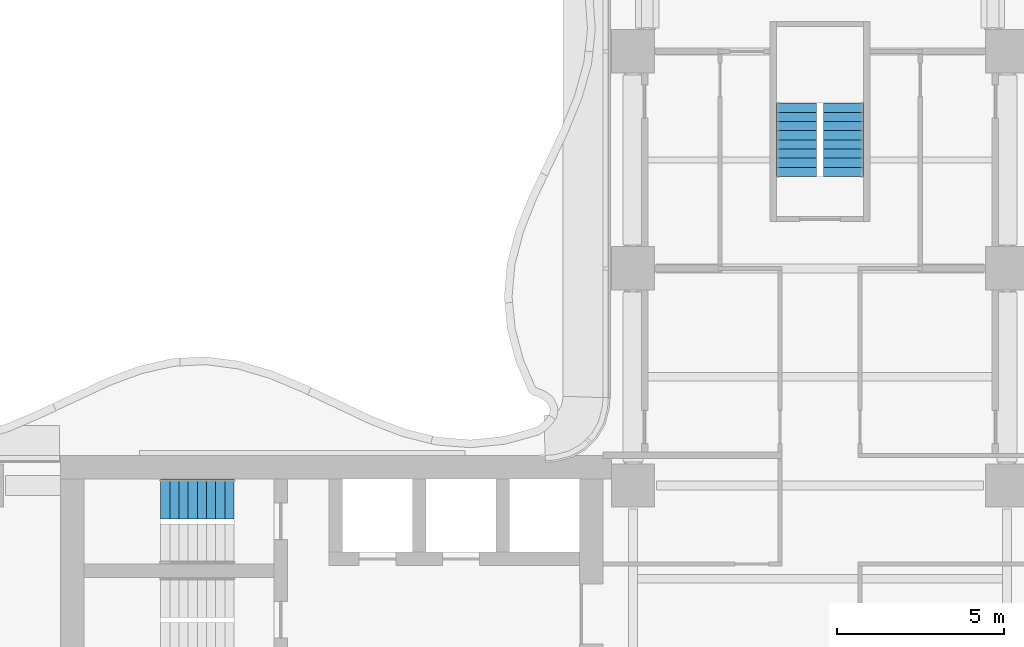
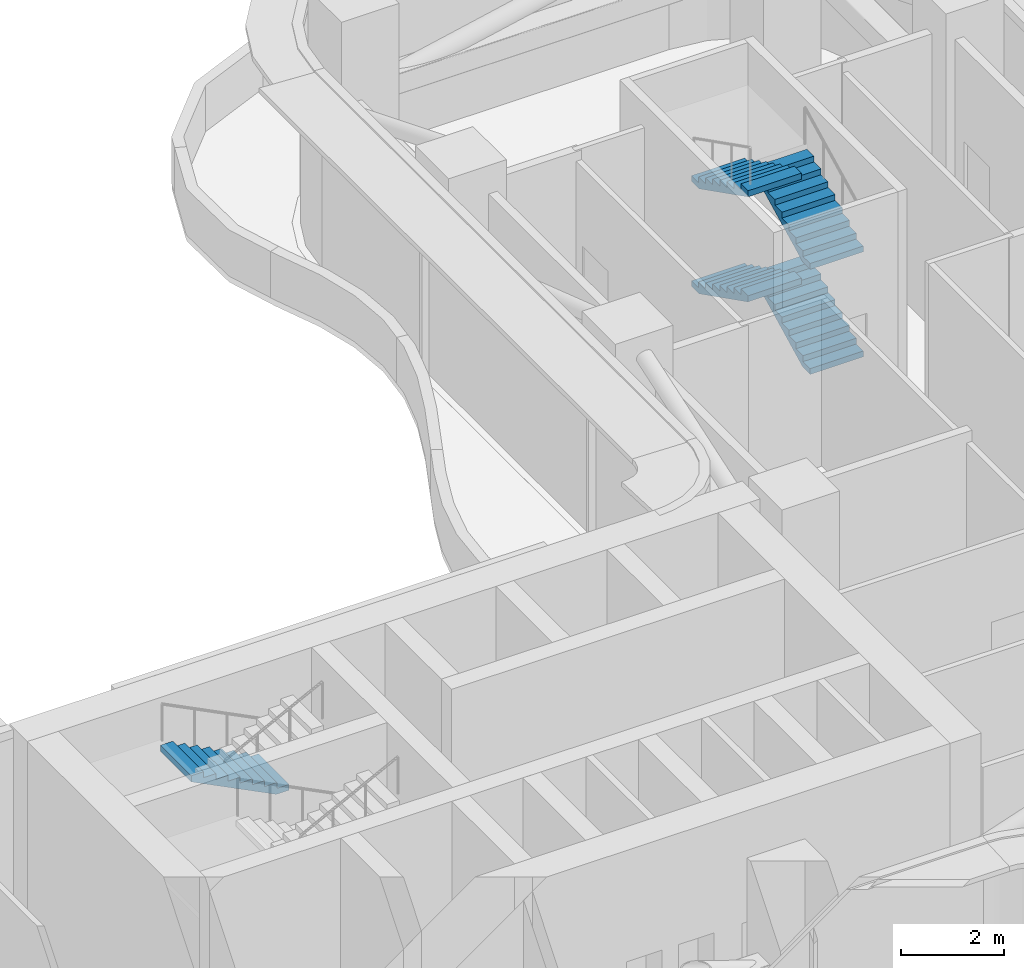
# One storey, part 18 of 20: 5 stair flights, 2 elements without a shape of their own.
"""IFC4 building model written with IfcOpenShell, lengths in metres."""

from ifc_helpers import new_model, si_unit, direction, frame, origin, place, context, subcontext, project, spatial, polyline, outline, extrude, source, transform, mapped, material, type_object, element, aggregate, save


model = new_model("IFC4")

# Units and contexts
model_context = context("Model", 3, precision=1e-05, world=origin(), true_north=direction((0.0, 1.0)))
body_context = subcontext(model_context, "Body", "Model", "MODEL_VIEW")
ifc_project = project(units=[si_unit("LENGTHUNIT", "METRE"), si_unit("AREAUNIT", "SQUARE_METRE"), si_unit("VOLUMEUNIT", "CUBIC_METRE"), si_unit("PLANEANGLEUNIT", "RADIAN"), si_unit("MASSUNIT", "GRAM", prefix="KILO")], contexts=[model_context])

# Site, building, storey
site_placement = place(None, origin())
site = spatial("IfcSite", under=ifc_project, at=site_placement, CompositionType="ELEMENT")
building_placement = place(site_placement, origin())
building = spatial("IfcBuilding", under=site, at=building_placement, Name="Trellis Farm Tower", CompositionType="ELEMENT")
storey_placement = place(building_placement, frame((0.0, 0.0, 92.5)))
storey = spatial("IfcBuildingStorey", under=building, at=storey_placement, Name="L19", CompositionType="ELEMENT", Elevation=92.5)

# Stair, stair flights
ifc_material = material(Name="Concrete C50/60", Category="concrete")
stair_type = type_object("IfcStairType", Name="CORE EXIT STAIR 36 RISERS 139 MM", PredefinedType="HALF_TURN_STAIR", material=ifc_material)
placement = place(storey_placement, origin())
stair_1 = element("IfcStair", 1, at=placement, inside=storey, type_object=stair_type, Name="Exit stair N", PredefinedType="HALF_TURN_STAIR")
stair_flight_type = type_object("IfcStairFlightType", Name="STAIR FLIGHT 9 RISERS 139 MM", PredefinedType="STRAIGHT", material=ifc_material)
shared_shape = source(origin(), body_context, "Body", "SweptSolid", [
    extrude(outline(polyline([(0.0, 0.0), (0.0, 0.138916015625), (0.27490234375, 0.138916015625), (0.27490234375, 0.27783203125), (0.550048828125, 0.27783203125), (0.550048828125, 0.416748046875), (0.824951171875, 0.416748046875), (0.824951171875, 0.5556640625), (1.10009765625, 0.5556640625), (1.10009765625, 0.6943359375), (1.375, 0.6943359375), (1.375, 0.833251953125), (1.64990234375, 0.833251953125), (1.64990234375, 0.97216796875), (1.925048828125, 0.97216796875), (1.925048828125, 1.111083984375), (2.199951171875, 1.111083984375), (2.199951171875, 1.25), (2.199951171875, 0.965576171875), (0.2880859375, 0.0), (0.0, 0.0)])), frame((0.0, 0.60009765625, 0.0), z_axis=(0.0, -1.0, 0.0), x_axis=(1.0, 0.0, 0.0)), (0.0, 0.0, 1.0), 1.199951171875),
])
stair_flight_1_placement = place(storey_placement, frame((0.699951171875, 14.85009765625, 0.0), z_axis=(0.0, 0.0, 1.0), x_axis=(0.0, 1.0, 0.0)))
stair_flight_1 = element("IfcStairFlight", 2, at=stair_flight_1_placement, type_object=stair_flight_type, Name="STN flight 1", NumberOfRisers=9, NumberOfTreads=8, PredefinedType="STRAIGHT", RiserHeight=0.138888889, TreadLength=0.275, context=body_context, shape_type="MappedRepresentation", body=[
    mapped(shared_shape, transform((0.0, 0.0, 0.0))),
])
stair_flight_2_placement = place(storey_placement, frame((-0.699951171875, 17.050048828125, 1.25), z_axis=(0.0, 0.0, 1.0), x_axis=(0.0, -1.0, 0.0)))
stair_flight_2 = element("IfcStairFlight", 3, at=stair_flight_2_placement, type_object=stair_flight_type, Name="STN flight 2", NumberOfRisers=9, NumberOfTreads=8, PredefinedType="STRAIGHT", RiserHeight=0.138888889, TreadLength=0.275, context=body_context, shape_type="MappedRepresentation", body=[
    mapped(shared_shape, transform((0.0, 0.0, 0.0))),
])
stair_flight_3_placement = place(storey_placement, frame((0.699951171875, 14.85009765625, 2.5), z_axis=(0.0, 0.0, 1.0), x_axis=(0.0, 1.0, 0.0)))
stair_flight_3 = element("IfcStairFlight", 4, at=stair_flight_3_placement, type_object=stair_flight_type, Name="STN flight 3", NumberOfRisers=9, NumberOfTreads=8, PredefinedType="STRAIGHT", RiserHeight=0.138888889, TreadLength=0.275, context=body_context, shape_type="MappedRepresentation", body=[
    mapped(shared_shape, transform((0.0, 0.0, 0.0))),
])
stair_flight_4_placement = place(storey_placement, frame((-0.699951171875, 17.050048828125, 3.75), z_axis=(0.0, 0.0, 1.0), x_axis=(0.0, -1.0, 0.0)))
stair_flight_4 = element("IfcStairFlight", 5, at=stair_flight_4_placement, type_object=stair_flight_type, Name="STN flight 4", NumberOfRisers=9, NumberOfTreads=8, PredefinedType="STRAIGHT", RiserHeight=0.138888889, TreadLength=0.275, context=body_context, shape_type="MappedRepresentation", body=[
    mapped(shared_shape, transform((0.0, 0.0, 0.0))),
])
aggregate(stair_1, [stair_flight_1, stair_flight_2, stair_flight_3, stair_flight_4])

# Stair, stair flight
stair_2 = element("IfcStair", 6, at=placement, inside=storey, type_object=stair_type, Name="Exit stair W1", PredefinedType="HALF_TURN_STAIR")
stair_flight_5_placement = place(storey_placement, frame((-17.550048828125, 5.199951171875, 2.5), z_axis=(0.0, 0.0, 1.0), x_axis=(-1.0, 0.0, 0.0)))
stair_flight_5 = element("IfcStairFlight", 7, at=stair_flight_5_placement, type_object=stair_flight_type, Name="STW1 flight 3", NumberOfRisers=9, NumberOfTreads=8, PredefinedType="STRAIGHT", RiserHeight=0.138888889, TreadLength=0.275, context=body_context, shape_type="MappedRepresentation", body=[
    mapped(shared_shape, transform((0.0, 0.0, 0.0))),
])
aggregate(stair_2, [stair_flight_5])

save(model, "model.ifc")
